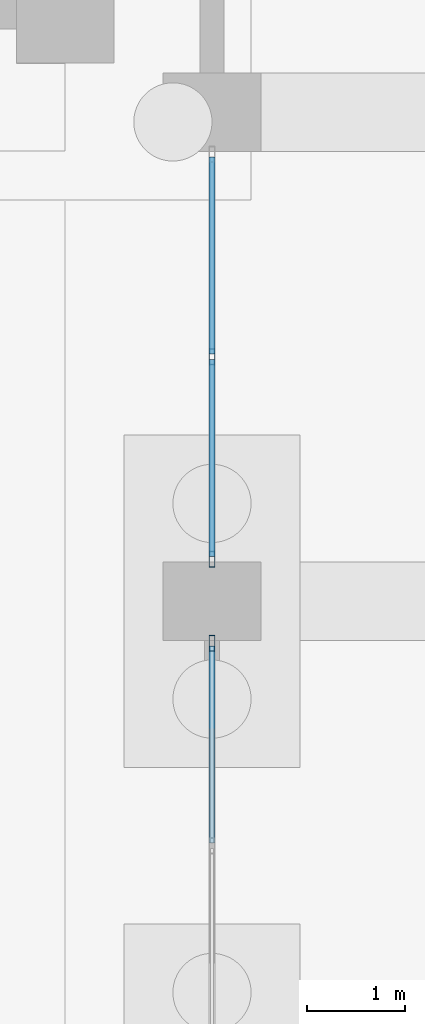
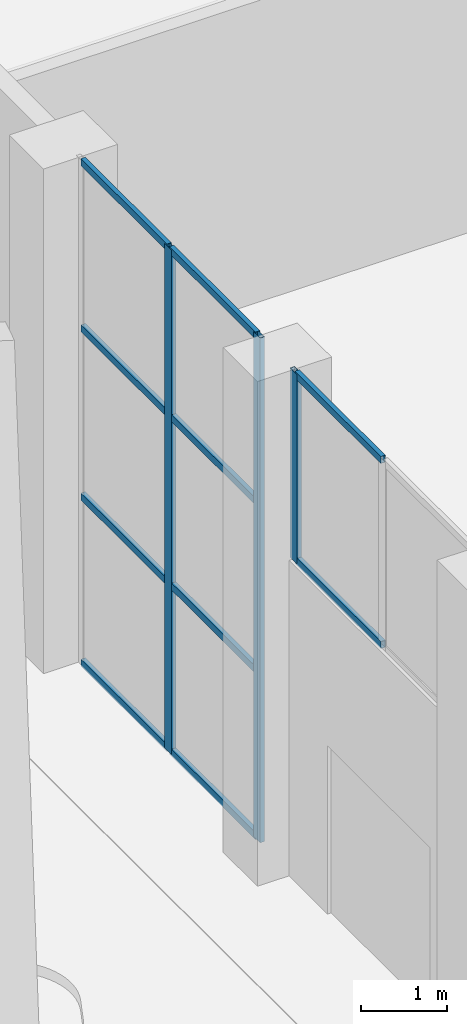
# One storey, part 116 of 239: 13 members, 2 elements without a shape of their own.
"""IFC4 building model written with IfcOpenShell, lengths in metres."""

import ifcopenshell
import ifcopenshell.guid

model = None  # the IFC model being written
_history = None  # IfcOwnerHistory: only IFC2X3 demands one
_inside = {}  # id of a spatial element -> (the spatial element, [elements in it])
_under = {}  # id of a project, library or spatial element -> (it, [spatial elements below it])
_declared = {}  # id of a project -> (the project, [libraries it declares])
_typed = {}  # id of a type object -> (the type object, [elements of that type])
_made_of = {}  # id of a material, layer set ... -> (it, [elements and type objects made of it])


def new_model(schema):
    """Start an empty IFC model of exactly this schema.

    Asked for "IFC4X3", IfcOpenShell would pick the latest addendum, in which some entities
    have other attributes; the version numbers below select the first issue.
    IFC2X3 requires an IfcOwnerHistory on every rooted entity: one is made here for all.
    """
    global model, _history
    if schema == "IFC4X3":
        model = ifcopenshell.file(schema_version=(4, 3, 0, 0))
    else:
        model = ifcopenshell.file(schema=schema)
    _inside.clear()
    _under.clear()
    _declared.clear()
    _typed.clear()
    _made_of.clear()
    _history = None
    if model.schema == "IFC2X3":
        org = make("IfcOrganization", Name="unknown")
        user = make(
            "IfcPersonAndOrganization",
            ThePerson=make("IfcPerson", FamilyName="unknown"),
            TheOrganization=org,
        )
        app = make(
            "IfcApplication",
            ApplicationDeveloper=org,
            Version="unknown",
            ApplicationFullName="unknown",
            ApplicationIdentifier="unknown",
        )
        _history = make(
            "IfcOwnerHistory",
            OwningUser=user,
            OwningApplication=app,
            ChangeAction="ADDED",
            CreationDate=0,
        )
    return model


def make(cls, **values):
    """One entity of the class cls with the attributes given. An attribute that is None is left unset."""
    return model.create_entity(
        cls, **{name: value for name, value in values.items() if value is not None}
    )


def rooted(cls, **values):
    """An entity with a GlobalId (a new one), such as an element, a storey or a relation."""
    return make(cls, GlobalId=ifcopenshell.guid.new(), OwnerHistory=_history, **values)


def si_unit(unit_type, name, prefix=None):
    """IfcSIUnit, for example si_unit("LENGTHUNIT", "METRE", prefix="MILLI")."""
    return make("IfcSIUnit", UnitType=unit_type, Prefix=prefix, Name=name)


def assignment(units):
    """IfcUnitAssignment: the units of a project."""
    return None if units is None else make("IfcUnitAssignment", Units=units)


def point(xyz):
    """IfcCartesianPoint."""
    return None if xyz is None else make("IfcCartesianPoint", Coordinates=xyz)


def direction(xyz):
    """IfcDirection."""
    return None if xyz is None else make("IfcDirection", DirectionRatios=xyz)


def frame(location, z_axis=None, x_axis=None):
    """IfcAxis2Placement3D, a coordinate frame: its origin and axes. An axis left out is left unset."""
    return make(
        "IfcAxis2Placement3D",
        Location=point(location),
        Axis=direction(z_axis),
        RefDirection=direction(x_axis),
    )


def frame_2d(location, x_axis=None):
    """IfcAxis2Placement2D, a coordinate frame in the plane: its origin and x axis."""
    return make(
        "IfcAxis2Placement2D", Location=point(location), RefDirection=direction(x_axis)
    )


def origin():
    """The frame at (0, 0, 0) with its axes left unset."""
    return frame((0.0, 0.0, 0.0))


def origin_2d():
    """The frame at (0, 0) in the plane with its x axis left unset."""
    return frame_2d((0.0, 0.0))


def place(relative_to, where):
    """IfcLocalPlacement: puts the frame where relative to a parent placement (None: the world)."""
    return make(
        "IfcLocalPlacement", PlacementRelTo=relative_to, RelativePlacement=where
    )


def context(
    kind, dimensions, precision=None, world=None, true_north=None, identifier=None
):
    """IfcGeometricRepresentationContext, for example the 3D "Model" context."""
    return make(
        "IfcGeometricRepresentationContext",
        ContextIdentifier=identifier,
        ContextType=kind,
        CoordinateSpaceDimension=dimensions,
        Precision=precision,
        WorldCoordinateSystem=world,
        TrueNorth=true_north,
    )


def subcontext(parent, identifier, kind, view, scale=None):
    """IfcGeometricRepresentationSubContext, for example "Body" below "Model"."""
    return make(
        "IfcGeometricRepresentationSubContext",
        ContextIdentifier=identifier,
        ContextType=kind,
        ParentContext=parent,
        TargetScale=scale,
        TargetView=view,
    )


def project(units=None, contexts=None):
    """IfcProject with its units and contexts."""
    return rooted(
        "IfcProject",
        Name="project",
        RepresentationContexts=contexts,
        UnitsInContext=assignment(units),
    )


def spatial(cls, under=None, at=None, **own):
    """A site, building, storey or space (cls), placed at a placement, below another one or the project."""
    s = rooted(cls, ObjectPlacement=at, **own)
    if under is not None:
        _under.setdefault(under.id(), (under, []))[1].append(s)
    return s


def profile(cls, at=None, kind="AREA", **sizes):
    """A parametric profile (cls). Its sizes go by their IFC names, for example OverallWidth=200.0."""
    return make(cls, ProfileType=kind, Position=at, **sizes)


def hollow_rectangle(**sizes):
    """IfcRectangleHollowProfileDef."""
    return profile("IfcRectangleHollowProfileDef", **sizes)


def extrude(swept, where, along, depth):
    """IfcExtrudedAreaSolid: the profile swept, set in the frame where, extruded along a direction by depth."""
    return make(
        "IfcExtrudedAreaSolid",
        SweptArea=swept,
        Position=where,
        ExtrudedDirection=direction(along),
        Depth=depth,
    )


def shape(context_of_items, identifier, shape_type, items):
    """IfcShapeRepresentation: the items that make up one representation, for example the "Body"."""
    return make(
        "IfcShapeRepresentation",
        ContextOfItems=context_of_items,
        RepresentationIdentifier=identifier,
        RepresentationType=shape_type,
        Items=items,
    )


def material(Name=None, Category=None):
    """IfcMaterial."""
    return make("IfcMaterial", Name=Name, Category=Category)


def material_profile(
    of_material, cross_section, Name=None, Category=None, Priority=None
):
    """IfcMaterialProfile: a cross section and its material."""
    return make(
        "IfcMaterialProfile",
        Name=Name,
        Material=of_material,
        Profile=cross_section,
        Priority=Priority,
        Category=Category,
    )


def profile_set(profiles, Name=None, composite=None):
    """IfcMaterialProfileSet."""
    return make(
        "IfcMaterialProfileSet",
        Name=Name,
        MaterialProfiles=profiles,
        CompositeProfile=composite,
    )


def made_of(thing, what):
    """Note that an element or type object is made of a material, layer set ...; save() writes the relation."""
    if what is not None:
        _made_of.setdefault(what.id(), (what, []))[1].append(thing)
    return thing


def type_object(cls, material=None, **own):
    """A type object (cls), such as IfcWallType, which elements share."""
    return made_of(rooted(cls, **own), material)


def element(
    cls,
    number,
    at=None,
    inside=None,
    cuts=None,
    type_object=None,
    material=None,
    context=None,
    identifier="Body",
    shape_type=None,
    held_by="IfcProductDefinitionShape",
    body=None,
    shapes=None,
    **own,
):
    """One element of the class cls, such as IfcWall. Its Tag is "e" and its number.

    at: its placement. inside: the storey or other place that contains it. cuts: it is an
    opening in that element (IfcRelVoidsElement). A single representation is given by context,
    identifier, shape_type and body (its items); several are given by shapes. held_by: the class
    of the entity that holds the representations. save() writes the other relations.
    """
    e = rooted(cls, Tag="e%d" % number, ObjectPlacement=at, **own)
    if body is not None:
        shapes = [shape(context, identifier, shape_type, body)]
    if shapes is not None:
        e.Representation = make(held_by, Representations=shapes)
    if inside is not None:
        _inside.setdefault(inside.id(), (inside, []))[1].append(e)
    if cuts is not None:
        rooted(
            "IfcRelVoidsElement", RelatingBuildingElement=cuts, RelatedOpeningElement=e
        )
    if type_object is not None:
        _typed.setdefault(type_object.id(), (type_object, []))[1].append(e)
    return made_of(e, material)


def aggregate(whole, parts):
    """IfcRelAggregates: a whole, such as a stair, and the parts it consists of."""
    return rooted("IfcRelAggregates", RelatingObject=whole, RelatedObjects=parts)


def save(model, path):
    """Write the relations noted so far, then the file.

    IfcRelAggregates (storeys below a building ...), IfcRelContainedInSpatialStructure (elements
    in a storey), IfcRelDefinesByType, IfcRelAssociatesMaterial and IfcRelDeclares: one each for
    every whole, place, type object, material and project.
    """
    for whole, parts in _under.values():
        aggregate(whole, parts)
    for where, things in _inside.values():
        rooted(
            "IfcRelContainedInSpatialStructure",
            RelatedElements=things,
            RelatingStructure=where,
        )
    for kind, things in _typed.values():
        rooted("IfcRelDefinesByType", RelatedObjects=things, RelatingType=kind)
    for what, things in _made_of.values():
        rooted("IfcRelAssociatesMaterial", RelatedObjects=things, RelatingMaterial=what)
    for by, libraries in _declared.values():
        rooted("IfcRelDeclares", RelatingContext=by, RelatedDefinitions=libraries)
    model.write(path)


model = new_model("IFC4")

# Units and contexts
model_context = context("Model", 3, precision=1e-05, world=origin(), true_north=direction((0.0, 1.0)))
body_context = subcontext(model_context, "Body", "Model", "MODEL_VIEW")
ifc_project = project(units=[si_unit("LENGTHUNIT", "METRE"), si_unit("AREAUNIT", "SQUARE_METRE"), si_unit("VOLUMEUNIT", "CUBIC_METRE"), si_unit("PLANEANGLEUNIT", "RADIAN"), si_unit("MASSUNIT", "GRAM", prefix="KILO")], contexts=[model_context])

# Site, building, storey
site_placement = place(None, origin())
site = spatial("IfcSite", under=ifc_project, at=site_placement, CompositionType="ELEMENT")
building_placement = place(site_placement, origin())
building = spatial("IfcBuilding", under=site, at=building_placement, Name="Okhra Congress Centre", CompositionType="ELEMENT")
storey_placement = place(building_placement, origin())
storey = spatial("IfcBuildingStorey", under=building, at=storey_placement, Name="L00", CompositionType="ELEMENT", Elevation=0.0)

# Curtain wall, member
ifc_material_1 = material(Name="Aluminium curtain wall, triple glazing", Category="aluminium")
curtain_wall_type = type_object("IfcCurtainWallType", Name="Curtain wall 2100 module", PredefinedType="NOTDEFINED", material=ifc_material_1)
curtain_wall_1_placement = place(storey_placement, origin())
curtain_wall_1 = element("IfcCurtainWall", 1, at=curtain_wall_1_placement, inside=storey, type_object=curtain_wall_type, Name="West bay 10 glazing above the doors", PredefinedType="NOTDEFINED")
ifc_material_2 = material(Name="Aluminium alloy EN AW-6063 T66", Category="aluminium")
ifc_material_profile_1 = material_profile(ifc_material_2, hollow_rectangle(XDim=0.06005859375, YDim=0.159912109375, WallThickness=0.00390625, at=origin_2d()), Name="RHS 60x160x4")
ifc_profile_set_1 = profile_set([ifc_material_profile_1], Name="Aluminium alloy EN AW-6063 T66")
member_type_1 = type_object("IfcMemberType", Name="Curtain wall mullion 60x160", PredefinedType="MULLION", material=ifc_profile_set_1)
member_1_placement = place(storey_placement, frame((155.5, 125.570068359375, 4.5), z_axis=(0.0, 0.0, 1.0), x_axis=(-1.0, 0.0, 0.0)))
member_1 = element("IfcMember", 2, at=member_1_placement, type_object=member_type_1, Name="CW4 mullion 3", PredefinedType="MULLION", context=body_context, shape_type="SweptSolid", body=[
    extrude(hollow_rectangle(XDim=0.06005859375, YDim=0.159912109375, WallThickness=0.00390625, at=origin_2d()), origin(), (0.0, 0.0, 1.0), 2.699951171875),
])

# Curtain wall, members
curtain_wall_2_placement = place(storey_placement, origin())
curtain_wall_2 = element("IfcCurtainWall", 3, at=curtain_wall_2_placement, inside=storey, type_object=curtain_wall_type, Name="West bay 11 glazing", PredefinedType="NOTDEFINED")
member_2_placement = place(storey_placement, frame((155.5, 126.429931640625, 0.0), z_axis=(0.0, 0.0, 1.0), x_axis=(-1.0, 0.0, 0.0)))
member_2 = element("IfcMember", 4, at=member_2_placement, type_object=member_type_1, Name="CW4 mullion 1", PredefinedType="MULLION", context=body_context, shape_type="SweptSolid", body=[
    extrude(hollow_rectangle(XDim=0.06005859375, YDim=0.159912109375, WallThickness=0.00390625, at=origin_2d()), origin(), (0.0, 0.0, 1.0), 7.199951171875),
])
member_3_placement = place(storey_placement, frame((155.5, 128.5, 0.0), z_axis=(0.0, 0.0, 1.0), x_axis=(-1.0, 0.0, 0.0)))
member_3 = element("IfcMember", 5, at=member_3_placement, type_object=member_type_1, Name="CW4 mullion 2", PredefinedType="MULLION", context=body_context, shape_type="SweptSolid", body=[
    extrude(hollow_rectangle(XDim=0.06005859375, YDim=0.159912109375, WallThickness=0.00390625, at=origin_2d()), origin(), (0.0, 0.0, 1.0), 7.199951171875),
])

# Member
ifc_material_profile_2 = material_profile(ifc_material_2, hollow_rectangle(XDim=0.06005859375, YDim=0.10009765625, WallThickness=0.00390625, at=origin_2d()), Name="RHS 60x100x4")
ifc_profile_set_2 = profile_set([ifc_material_profile_2], Name="Aluminium alloy EN AW-6063 T66")
member_type_2 = type_object("IfcMemberType", Name="Curtain wall transom 60x100", PredefinedType="USERDEFINED", material=ifc_profile_set_2)
member_4_placement = place(storey_placement, frame((155.5, 123.530029296875, 4.530029296875), z_axis=(0.0, 1.0, 0.0), x_axis=(-1.0, 0.0, 0.0)))
member_4 = element("IfcMember", 6, at=member_4_placement, type_object=member_type_2, Name="CW4 transom 2.1", ObjectType="TRANSOM", PredefinedType="USERDEFINED", context=body_context, shape_type="SweptSolid", body=[
    extrude(hollow_rectangle(XDim=0.06005859375, YDim=0.10009765625, WallThickness=0.00390625, at=origin_2d()), origin(), (0.0, 0.0, 1.0), 2.010009765625),
])

member_5_placement = place(storey_placement, frame((155.5, 123.530029296875, 7.169921875), z_axis=(0.0, 1.0, 0.0), x_axis=(-1.0, 0.0, 0.0)))
member_5 = element("IfcMember", 7, at=member_5_placement, type_object=member_type_2, Name="CW4 transom 2.2", ObjectType="TRANSOM", PredefinedType="USERDEFINED", context=body_context, shape_type="SweptSolid", body=[
    extrude(hollow_rectangle(XDim=0.06005859375, YDim=0.10009765625, WallThickness=0.00390625, at=origin_2d()), origin(), (0.0, 0.0, 1.0), 2.010009765625),
])

aggregate(curtain_wall_1, [member_1, member_4, member_5])

member_6_placement = place(storey_placement, frame((155.5, 126.4599609375, 0.030029296875), z_axis=(0.0, 1.0, 0.0), x_axis=(-1.0, 0.0, 0.0)))
member_6 = element("IfcMember", 8, at=member_6_placement, type_object=member_type_2, Name="CW4 transom 1.1", ObjectType="TRANSOM", PredefinedType="USERDEFINED", context=body_context, shape_type="SweptSolid", body=[
    extrude(hollow_rectangle(XDim=0.06005859375, YDim=0.10009765625, WallThickness=0.00390625, at=origin_2d()), origin(), (0.0, 0.0, 1.0), 2.010009765625),
])

member_7_placement = place(storey_placement, frame((155.5, 126.4599609375, 2.39990234375), z_axis=(0.0, 1.0, 0.0), x_axis=(-1.0, 0.0, 0.0)))
member_7 = element("IfcMember", 9, at=member_7_placement, type_object=member_type_2, Name="CW4 transom 1.2", ObjectType="TRANSOM", PredefinedType="USERDEFINED", context=body_context, shape_type="SweptSolid", body=[
    extrude(hollow_rectangle(XDim=0.06005859375, YDim=0.10009765625, WallThickness=0.00390625, at=origin_2d()), origin(), (0.0, 0.0, 1.0), 2.010009765625),
])

member_8_placement = place(storey_placement, frame((155.5, 126.4599609375, 4.800048828125), z_axis=(0.0, 1.0, 0.0), x_axis=(-1.0, 0.0, 0.0)))
member_8 = element("IfcMember", 10, at=member_8_placement, type_object=member_type_2, Name="CW4 transom 1.3", ObjectType="TRANSOM", PredefinedType="USERDEFINED", context=body_context, shape_type="SweptSolid", body=[
    extrude(hollow_rectangle(XDim=0.06005859375, YDim=0.10009765625, WallThickness=0.00390625, at=origin_2d()), origin(), (0.0, 0.0, 1.0), 2.010009765625),
])

member_9_placement = place(storey_placement, frame((155.5, 126.4599609375, 7.169921875), z_axis=(0.0, 1.0, 0.0), x_axis=(-1.0, 0.0, 0.0)))
member_9 = element("IfcMember", 11, at=member_9_placement, type_object=member_type_2, Name="CW4 transom 1.4", ObjectType="TRANSOM", PredefinedType="USERDEFINED", context=body_context, shape_type="SweptSolid", body=[
    extrude(hollow_rectangle(XDim=0.06005859375, YDim=0.10009765625, WallThickness=0.00390625, at=origin_2d()), origin(), (0.0, 0.0, 1.0), 2.010009765625),
])

member_10_placement = place(storey_placement, frame((155.5, 128.530029296875, 0.030029296875), z_axis=(0.0, 1.0, 0.0), x_axis=(-1.0, 0.0, 0.0)))
member_10 = element("IfcMember", 12, at=member_10_placement, type_object=member_type_2, Name="CW4 transom 2.1", ObjectType="TRANSOM", PredefinedType="USERDEFINED", context=body_context, shape_type="SweptSolid", body=[
    extrude(hollow_rectangle(XDim=0.06005859375, YDim=0.10009765625, WallThickness=0.00390625, at=origin_2d()), origin(), (0.0, 0.0, 1.0), 2.010009765625),
])

member_11_placement = place(storey_placement, frame((155.5, 128.530029296875, 2.39990234375), z_axis=(0.0, 1.0, 0.0), x_axis=(-1.0, 0.0, 0.0)))
member_11 = element("IfcMember", 13, at=member_11_placement, type_object=member_type_2, Name="CW4 transom 2.2", ObjectType="TRANSOM", PredefinedType="USERDEFINED", context=body_context, shape_type="SweptSolid", body=[
    extrude(hollow_rectangle(XDim=0.06005859375, YDim=0.10009765625, WallThickness=0.00390625, at=origin_2d()), origin(), (0.0, 0.0, 1.0), 2.010009765625),
])

member_12_placement = place(storey_placement, frame((155.5, 128.530029296875, 4.800048828125), z_axis=(0.0, 1.0, 0.0), x_axis=(-1.0, 0.0, 0.0)))
member_12 = element("IfcMember", 14, at=member_12_placement, type_object=member_type_2, Name="CW4 transom 2.3", ObjectType="TRANSOM", PredefinedType="USERDEFINED", context=body_context, shape_type="SweptSolid", body=[
    extrude(hollow_rectangle(XDim=0.06005859375, YDim=0.10009765625, WallThickness=0.00390625, at=origin_2d()), origin(), (0.0, 0.0, 1.0), 2.010009765625),
])

member_13_placement = place(storey_placement, frame((155.5, 128.530029296875, 7.169921875), z_axis=(0.0, 1.0, 0.0), x_axis=(-1.0, 0.0, 0.0)))
member_13 = element("IfcMember", 15, at=member_13_placement, type_object=member_type_2, Name="CW4 transom 2.4", ObjectType="TRANSOM", PredefinedType="USERDEFINED", context=body_context, shape_type="SweptSolid", body=[
    extrude(hollow_rectangle(XDim=0.06005859375, YDim=0.10009765625, WallThickness=0.00390625, at=origin_2d()), origin(), (0.0, 0.0, 1.0), 2.010009765625),
])

aggregate(curtain_wall_2, [member_2, member_3, member_6, member_7, member_8, member_9, member_10, member_11, member_12, member_13])

save(model, "model.ifc")
